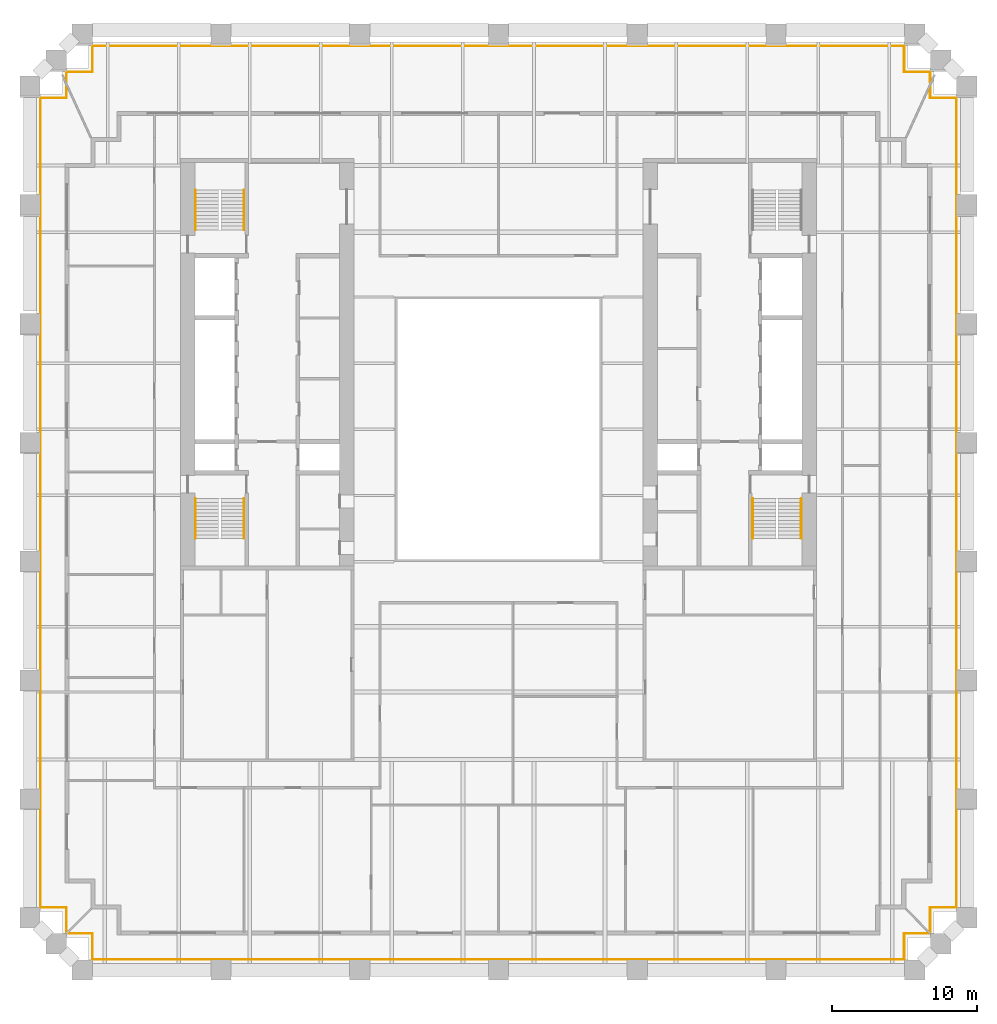
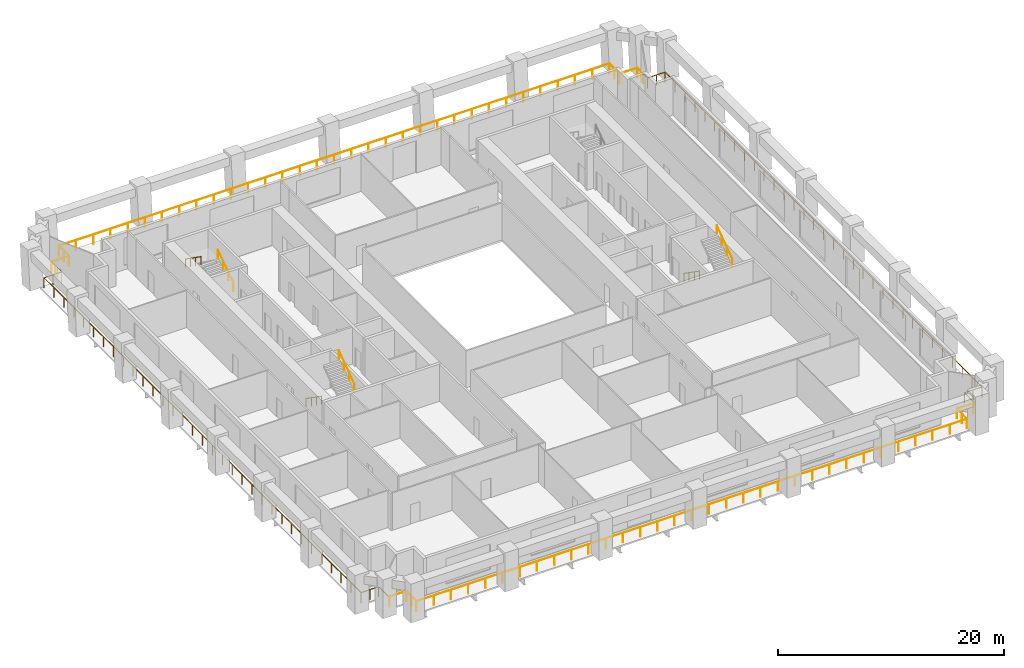
# One storey, part 9 of 10: 10 railings.
"""IFC4 building model written with IfcOpenShell, lengths in metres."""

from ifc_helpers import new_model, si_unit, direction, frame, origin, origin_2d, place, context, subcontext, project, spatial, circle, extrude, material, type_object, element, save


model = new_model("IFC4")

# Units and contexts
model_context = context("Model", 3, precision=1e-05, world=origin(), true_north=direction((0.0, 1.0)))
body_context = subcontext(model_context, "Body", "Model", "MODEL_VIEW")
ifc_project = project(units=[si_unit("LENGTHUNIT", "METRE"), si_unit("AREAUNIT", "SQUARE_METRE"), si_unit("VOLUMEUNIT", "CUBIC_METRE"), si_unit("PLANEANGLEUNIT", "RADIAN"), si_unit("MASSUNIT", "GRAM", prefix="KILO")], contexts=[model_context])

# Site, building, storey
site_placement = place(None, origin())
site = spatial("IfcSite", under=ifc_project, at=site_placement, CompositionType="ELEMENT")
building_placement = place(site_placement, origin())
building = spatial("IfcBuilding", under=site, at=building_placement, Name="Ogive Exchange Tower", CompositionType="ELEMENT")
storey_placement = place(building_placement, frame((0.0, 0.0, 64.800048828125)))
storey = spatial("IfcBuildingStorey", under=building, at=storey_placement, Name="L13", CompositionType="ELEMENT", Elevation=64.800048828125)

# Railings
ifc_material_1 = material(Name="Stainless steel 316", Category="steel")
railing_type_1 = type_object("IfcRailingType", Name="Guard 1100 stainless steel and glass", PredefinedType="GUARDRAIL", material=ifc_material_1)
railing_1_placement = place(storey_placement, frame((29.7880859375, -27.8798828125, -0.050048828125)))
element("IfcRailing", 1, at=railing_1_placement, inside=storey, type_object=railing_type_1, Name="Loggia guard 1", PredefinedType="GUARDRAIL", context=body_context, shape_type="SweptSolid", body=[
    extrude(circle(Radius=0.02392578125, at=origin_2d()), frame((0.0, 0.0, 1.076171875), z_axis=(-1.0, 0.0, 0.0), x_axis=(0.0, -1.0, 0.0)), (0.0, 0.0, 1.0), 1.7080078125),
    extrude(circle(Radius=0.02392578125, at=origin_2d()), frame((-1.7080078125, 0.0, 1.076171875), z_axis=(0.0, -1.0, 0.0), x_axis=(1.0, 0.0, 0.0)), (0.0, 0.0, 1.0), 1.800048828125),
    extrude(circle(Radius=0.02392578125, at=origin_2d()), frame((-1.7080078125, -1.800048828125, 1.076171875), z_axis=(-1.0, 0.0, 0.0), x_axis=(0.0, -1.0, 0.0)), (0.0, 0.0, 1.0), 56.16015625),
    extrude(circle(Radius=0.02392578125, at=origin_2d()), frame((-57.8681640625, -1.800048828125, 1.076171875), z_axis=(0.0, 1.0, 0.0), x_axis=(-1.0, 0.0, 0.0)), (0.0, 0.0, 1.0), 1.800048828125),
    extrude(circle(Radius=0.02392578125, at=origin_2d()), frame((-57.8681640625, 0.0, 1.076171875), z_axis=(-1.0, 0.0, 0.0), x_axis=(0.0, -1.0, 0.0)), (0.0, 0.0, 1.0), 1.7080078125),
    extrude(circle(Radius=0.02099609375, at=origin_2d()), origin(), (0.0, 0.0, 1.0), 1.052001953125),
    extrude(circle(Radius=0.02099609375, at=origin_2d()), frame((-1.7080078125, 0.0, 0.0)), (0.0, 0.0, 1.0), 1.052001953125),
    extrude(circle(Radius=0.02099609375, at=origin_2d()), frame((-1.7080078125, -0.89990234375, 0.0)), (0.0, 0.0, 1.0), 1.052001953125),
    extrude(circle(Radius=0.02099609375, at=origin_2d()), frame((-1.7080078125, -1.800048828125, 0.0)), (0.0, 0.0, 1.0), 1.052001953125),
    extrude(circle(Radius=0.02099609375, at=origin_2d()), frame((-3.462890625, -1.800048828125, 0.0)), (0.0, 0.0, 1.0), 1.052001953125),
    extrude(circle(Radius=0.02099609375, at=origin_2d()), frame((-5.218017578125, -1.800048828125, 0.0)), (0.0, 0.0, 1.0), 1.052001953125),
    extrude(circle(Radius=0.02099609375, at=origin_2d()), frame((-6.97314453125, -1.800048828125, 0.0)), (0.0, 0.0, 1.0), 1.052001953125),
    extrude(circle(Radius=0.02099609375, at=origin_2d()), frame((-8.72802734375, -1.800048828125, 0.0)), (0.0, 0.0, 1.0), 1.052001953125),
    extrude(circle(Radius=0.02099609375, at=origin_2d()), frame((-10.48291015625, -1.800048828125, 0.0)), (0.0, 0.0, 1.0), 1.052001953125),
    extrude(circle(Radius=0.02099609375, at=origin_2d()), frame((-12.238037109375, -1.800048828125, 0.0)), (0.0, 0.0, 1.0), 1.052001953125),
    extrude(circle(Radius=0.02099609375, at=origin_2d()), frame((-13.9931640625, -1.800048828125, 0.0)), (0.0, 0.0, 1.0), 1.052001953125),
    extrude(circle(Radius=0.02099609375, at=origin_2d()), frame((-15.748046875, -1.800048828125, 0.0)), (0.0, 0.0, 1.0), 1.052001953125),
    extrude(circle(Radius=0.02099609375, at=origin_2d()), frame((-17.5029296875, -1.800048828125, 0.0)), (0.0, 0.0, 1.0), 1.052001953125),
    extrude(circle(Radius=0.02099609375, at=origin_2d()), frame((-19.258056640625, -1.800048828125, 0.0)), (0.0, 0.0, 1.0), 1.052001953125),
    extrude(circle(Radius=0.02099609375, at=origin_2d()), frame((-21.01318359375, -1.800048828125, 0.0)), (0.0, 0.0, 1.0), 1.052001953125),
    extrude(circle(Radius=0.02099609375, at=origin_2d()), frame((-22.76806640625, -1.800048828125, 0.0)), (0.0, 0.0, 1.0), 1.052001953125),
    extrude(circle(Radius=0.02099609375, at=origin_2d()), frame((-24.52294921875, -1.800048828125, 0.0)), (0.0, 0.0, 1.0), 1.052001953125),
    extrude(circle(Radius=0.02099609375, at=origin_2d()), frame((-26.278076171875, -1.800048828125, 0.0)), (0.0, 0.0, 1.0), 1.052001953125),
    extrude(circle(Radius=0.02099609375, at=origin_2d()), frame((-28.033203125, -1.800048828125, 0.0)), (0.0, 0.0, 1.0), 1.052001953125),
    extrude(circle(Radius=0.02099609375, at=origin_2d()), frame((-29.7880859375, -1.800048828125, 0.0)), (0.0, 0.0, 1.0), 1.052001953125),
    extrude(circle(Radius=0.02099609375, at=origin_2d()), frame((-31.54296875, -1.800048828125, 0.0)), (0.0, 0.0, 1.0), 1.052001953125),
    extrude(circle(Radius=0.02099609375, at=origin_2d()), frame((-33.298095703125, -1.800048828125, 0.0)), (0.0, 0.0, 1.0), 1.052001953125),
    extrude(circle(Radius=0.02099609375, at=origin_2d()), frame((-35.05322265625, -1.800048828125, 0.0)), (0.0, 0.0, 1.0), 1.052001953125),
    extrude(circle(Radius=0.02099609375, at=origin_2d()), frame((-36.80810546875, -1.800048828125, 0.0)), (0.0, 0.0, 1.0), 1.052001953125),
    extrude(circle(Radius=0.02099609375, at=origin_2d()), frame((-38.56298828125, -1.800048828125, 0.0)), (0.0, 0.0, 1.0), 1.052001953125),
    extrude(circle(Radius=0.02099609375, at=origin_2d()), frame((-40.318115234375, -1.800048828125, 0.0)), (0.0, 0.0, 1.0), 1.052001953125),
    extrude(circle(Radius=0.02099609375, at=origin_2d()), frame((-42.0732421875, -1.800048828125, 0.0)), (0.0, 0.0, 1.0), 1.052001953125),
    extrude(circle(Radius=0.02099609375, at=origin_2d()), frame((-43.828125, -1.800048828125, 0.0)), (0.0, 0.0, 1.0), 1.052001953125),
    extrude(circle(Radius=0.02099609375, at=origin_2d()), frame((-45.5830078125, -1.800048828125, 0.0)), (0.0, 0.0, 1.0), 1.052001953125),
    extrude(circle(Radius=0.02099609375, at=origin_2d()), frame((-47.338134765625, -1.800048828125, 0.0)), (0.0, 0.0, 1.0), 1.052001953125),
    extrude(circle(Radius=0.02099609375, at=origin_2d()), frame((-49.09326171875, -1.800048828125, 0.0)), (0.0, 0.0, 1.0), 1.052001953125),
    extrude(circle(Radius=0.02099609375, at=origin_2d()), frame((-50.84814453125, -1.800048828125, 0.0)), (0.0, 0.0, 1.0), 1.052001953125),
    extrude(circle(Radius=0.02099609375, at=origin_2d()), frame((-52.60302734375, -1.800048828125, 0.0)), (0.0, 0.0, 1.0), 1.052001953125),
    extrude(circle(Radius=0.02099609375, at=origin_2d()), frame((-54.358154296875, -1.800048828125, 0.0)), (0.0, 0.0, 1.0), 1.052001953125),
    extrude(circle(Radius=0.02099609375, at=origin_2d()), frame((-56.11328125, -1.800048828125, 0.0)), (0.0, 0.0, 1.0), 1.052001953125),
    extrude(circle(Radius=0.02099609375, at=origin_2d()), frame((-57.8681640625, -1.800048828125, 0.0)), (0.0, 0.0, 1.0), 1.052001953125),
    extrude(circle(Radius=0.02099609375, at=origin_2d()), frame((-57.8681640625, -0.89990234375, 0.0)), (0.0, 0.0, 1.0), 1.052001953125),
    extrude(circle(Radius=0.02099609375, at=origin_2d()), frame((-57.8681640625, 0.0, 0.0)), (0.0, 0.0, 1.0), 1.052001953125),
    extrude(circle(Radius=0.02099609375, at=origin_2d()), frame((-59.576171875, 0.0, 0.0)), (0.0, 0.0, 1.0), 1.052001953125),
])
railing_2_placement = place(storey_placement, frame((-29.8798828125, -27.7880859375, -0.050048828125)))
element("IfcRailing", 2, at=railing_2_placement, inside=storey, type_object=railing_type_1, Name="Loggia guard 2", PredefinedType="GUARDRAIL", context=body_context, shape_type="SweptSolid", body=[
    extrude(circle(Radius=0.02392578125, at=origin_2d()), frame((0.0, 0.0, 1.076171875), z_axis=(0.0, 1.0, 0.0), x_axis=(-1.0, 0.0, 0.0)), (0.0, 0.0, 1.0), 1.7080078125),
    extrude(circle(Radius=0.02392578125, at=origin_2d()), frame((0.0, 1.7080078125, 1.076171875), z_axis=(-1.0, 0.0, 0.0), x_axis=(0.0, -1.0, 0.0)), (0.0, 0.0, 1.0), 1.800048828125),
    extrude(circle(Radius=0.02392578125, at=origin_2d()), frame((-1.800048828125, 1.7080078125, 1.076171875), z_axis=(0.0, 1.0, 0.0), x_axis=(-1.0, 0.0, 0.0)), (0.0, 0.0, 1.0), 55.99658203125),
    extrude(circle(Radius=0.02392578125, at=origin_2d()), frame((-1.800048828125, 57.70458984375, 1.076171875), z_axis=(1.0, 0.0, 0.0), x_axis=(0.0, 1.0, 0.0)), (0.0, 0.0, 1.0), 1.800048828125),
    extrude(circle(Radius=0.02392578125, at=origin_2d()), frame((0.0, 57.70458984375, 1.076171875), z_axis=(0.0, 1.0, 0.0), x_axis=(-1.0, 0.0, 0.0)), (0.0, 0.0, 1.0), 0.79296875),
    extrude(circle(Radius=0.02099609375, at=origin_2d()), origin(), (0.0, 0.0, 1.0), 1.052001953125),
    extrude(circle(Radius=0.02099609375, at=origin_2d()), frame((0.0, 1.7080078125, 0.0)), (0.0, 0.0, 1.0), 1.052001953125),
    extrude(circle(Radius=0.02099609375, at=origin_2d()), frame((-0.89990234375, 1.7080078125, 0.0)), (0.0, 0.0, 1.0), 1.052001953125),
    extrude(circle(Radius=0.02099609375, at=origin_2d()), frame((-1.800048828125, 1.7080078125, 0.0)), (0.0, 0.0, 1.0), 1.052001953125),
    extrude(circle(Radius=0.02099609375, at=origin_2d()), frame((-1.800048828125, 3.4580078125, 0.0)), (0.0, 0.0, 1.0), 1.052001953125),
    extrude(circle(Radius=0.02099609375, at=origin_2d()), frame((-1.800048828125, 5.207763671875, 0.0)), (0.0, 0.0, 1.0), 1.052001953125),
    extrude(circle(Radius=0.02099609375, at=origin_2d()), frame((-1.800048828125, 6.957763671875, 0.0)), (0.0, 0.0, 1.0), 1.052001953125),
    extrude(circle(Radius=0.02099609375, at=origin_2d()), frame((-1.800048828125, 8.70751953125, 0.0)), (0.0, 0.0, 1.0), 1.052001953125),
    extrude(circle(Radius=0.02099609375, at=origin_2d()), frame((-1.800048828125, 10.45751953125, 0.0)), (0.0, 0.0, 1.0), 1.052001953125),
    extrude(circle(Radius=0.02099609375, at=origin_2d()), frame((-1.800048828125, 12.207275390625, 0.0)), (0.0, 0.0, 1.0), 1.052001953125),
    extrude(circle(Radius=0.02099609375, at=origin_2d()), frame((-1.800048828125, 13.957275390625, 0.0)), (0.0, 0.0, 1.0), 1.052001953125),
    extrude(circle(Radius=0.02099609375, at=origin_2d()), frame((-1.800048828125, 15.70703125, 0.0)), (0.0, 0.0, 1.0), 1.052001953125),
    extrude(circle(Radius=0.02099609375, at=origin_2d()), frame((-1.800048828125, 17.45703125, 0.0)), (0.0, 0.0, 1.0), 1.052001953125),
    extrude(circle(Radius=0.02099609375, at=origin_2d()), frame((-1.800048828125, 19.20703125, 0.0)), (0.0, 0.0, 1.0), 1.052001953125),
    extrude(circle(Radius=0.02099609375, at=origin_2d()), frame((-1.800048828125, 20.956787109375, 0.0)), (0.0, 0.0, 1.0), 1.052001953125),
    extrude(circle(Radius=0.02099609375, at=origin_2d()), frame((-1.800048828125, 22.706787109375, 0.0)), (0.0, 0.0, 1.0), 1.052001953125),
    extrude(circle(Radius=0.02099609375, at=origin_2d()), frame((-1.800048828125, 24.45654296875, 0.0)), (0.0, 0.0, 1.0), 1.052001953125),
    extrude(circle(Radius=0.02099609375, at=origin_2d()), frame((-1.800048828125, 26.20654296875, 0.0)), (0.0, 0.0, 1.0), 1.052001953125),
    extrude(circle(Radius=0.02099609375, at=origin_2d()), frame((-1.800048828125, 27.956298828125, 0.0)), (0.0, 0.0, 1.0), 1.052001953125),
    extrude(circle(Radius=0.02099609375, at=origin_2d()), frame((-1.800048828125, 29.706298828125, 0.0)), (0.0, 0.0, 1.0), 1.052001953125),
    extrude(circle(Radius=0.02099609375, at=origin_2d()), frame((-1.800048828125, 31.456298828125, 0.0)), (0.0, 0.0, 1.0), 1.052001953125),
    extrude(circle(Radius=0.02099609375, at=origin_2d()), frame((-1.800048828125, 33.2060546875, 0.0)), (0.0, 0.0, 1.0), 1.052001953125),
    extrude(circle(Radius=0.02099609375, at=origin_2d()), frame((-1.800048828125, 34.9560546875, 0.0)), (0.0, 0.0, 1.0), 1.052001953125),
    extrude(circle(Radius=0.02099609375, at=origin_2d()), frame((-1.800048828125, 36.705810546875, 0.0)), (0.0, 0.0, 1.0), 1.052001953125),
    extrude(circle(Radius=0.02099609375, at=origin_2d()), frame((-1.800048828125, 38.455810546875, 0.0)), (0.0, 0.0, 1.0), 1.052001953125),
    extrude(circle(Radius=0.02099609375, at=origin_2d()), frame((-1.800048828125, 40.20556640625, 0.0)), (0.0, 0.0, 1.0), 1.052001953125),
    extrude(circle(Radius=0.02099609375, at=origin_2d()), frame((-1.800048828125, 41.95556640625, 0.0)), (0.0, 0.0, 1.0), 1.052001953125),
    extrude(circle(Radius=0.02099609375, at=origin_2d()), frame((-1.800048828125, 43.70556640625, 0.0)), (0.0, 0.0, 1.0), 1.052001953125),
    extrude(circle(Radius=0.02099609375, at=origin_2d()), frame((-1.800048828125, 45.455322265625, 0.0)), (0.0, 0.0, 1.0), 1.052001953125),
    extrude(circle(Radius=0.02099609375, at=origin_2d()), frame((-1.800048828125, 47.205322265625, 0.0)), (0.0, 0.0, 1.0), 1.052001953125),
    extrude(circle(Radius=0.02099609375, at=origin_2d()), frame((-1.800048828125, 48.955078125, 0.0)), (0.0, 0.0, 1.0), 1.052001953125),
    extrude(circle(Radius=0.02099609375, at=origin_2d()), frame((-1.800048828125, 50.705078125, 0.0)), (0.0, 0.0, 1.0), 1.052001953125),
    extrude(circle(Radius=0.02099609375, at=origin_2d()), frame((-1.800048828125, 52.454833984375, 0.0)), (0.0, 0.0, 1.0), 1.052001953125),
    extrude(circle(Radius=0.02099609375, at=origin_2d()), frame((-1.800048828125, 54.204833984375, 0.0)), (0.0, 0.0, 1.0), 1.052001953125),
    extrude(circle(Radius=0.02099609375, at=origin_2d()), frame((-1.800048828125, 55.95458984375, 0.0)), (0.0, 0.0, 1.0), 1.052001953125),
    extrude(circle(Radius=0.02099609375, at=origin_2d()), frame((-1.800048828125, 57.70458984375, 0.0)), (0.0, 0.0, 1.0), 1.052001953125),
    extrude(circle(Radius=0.02099609375, at=origin_2d()), frame((-0.89990234375, 57.70458984375, 0.0)), (0.0, 0.0, 1.0), 1.052001953125),
    extrude(circle(Radius=0.02099609375, at=origin_2d()), frame((0.0, 57.70458984375, 0.0)), (0.0, 0.0, 1.0), 1.052001953125),
    extrude(circle(Radius=0.02099609375, at=origin_2d()), frame((0.0, 58.49755859375, 0.0)), (0.0, 0.0, 1.0), 1.052001953125),
])
railing_3_placement = place(storey_placement, frame((-29.8798828125, 31.021484375, -0.050048828125)))
element("IfcRailing", 3, at=railing_3_placement, inside=storey, type_object=railing_type_1, Name="Loggia guard 3", PredefinedType="GUARDRAIL", context=body_context, shape_type="SweptSolid", body=[
    extrude(circle(Radius=0.02392578125, at=origin_2d()), frame((0.0, 0.0, 1.076171875), z_axis=(0.0, 1.0, 0.0), x_axis=(-1.0, 0.0, 0.0)), (0.0, 0.0, 1.0), 0.69482421875),
    extrude(circle(Radius=0.02392578125, at=origin_2d()), frame((0.0, 0.69482421875, 1.076171875), z_axis=(1.0, 0.0, 0.0), x_axis=(0.0, 1.0, 0.0)), (0.0, 0.0, 1.0), 1.7998046875),
    extrude(circle(Radius=0.02392578125, at=origin_2d()), frame((1.7998046875, 0.69482421875, 1.076171875), z_axis=(0.0, 1.0, 0.0), x_axis=(-1.0, 0.0, 0.0)), (0.0, 0.0, 1.0), 1.800048828125),
    extrude(circle(Radius=0.02392578125, at=origin_2d()), frame((1.7998046875, 2.494873046875, 1.076171875), z_axis=(1.0, 0.0, 0.0), x_axis=(0.0, 1.0, 0.0)), (0.0, 0.0, 1.0), 56.16015625),
    extrude(circle(Radius=0.02392578125, at=origin_2d()), frame((57.9599609375, 2.494873046875, 1.076171875), z_axis=(0.0, -1.0, 0.0), x_axis=(1.0, 0.0, 0.0)), (0.0, 0.0, 1.0), 1.800048828125),
    extrude(circle(Radius=0.02392578125, at=origin_2d()), frame((57.9599609375, 0.69482421875, 1.076171875), z_axis=(1.0, 0.0, 0.0), x_axis=(0.0, 1.0, 0.0)), (0.0, 0.0, 1.0), 1.7998046875),
    extrude(circle(Radius=0.02392578125, at=origin_2d()), frame((59.759765625, 0.69482421875, 1.076171875), z_axis=(0.0, -1.0, 0.0), x_axis=(1.0, 0.0, 0.0)), (0.0, 0.0, 1.0), 0.69482421875),
    extrude(circle(Radius=0.02099609375, at=origin_2d()), origin(), (0.0, 0.0, 1.0), 1.052001953125),
    extrude(circle(Radius=0.02099609375, at=origin_2d()), frame((0.0, 0.69482421875, 0.0)), (0.0, 0.0, 1.0), 1.052001953125),
    extrude(circle(Radius=0.02099609375, at=origin_2d()), frame((1.7998046875, 0.69482421875, 0.0)), (0.0, 0.0, 1.0), 1.052001953125),
    extrude(circle(Radius=0.02099609375, at=origin_2d()), frame((1.7998046875, 1.5947265625, 0.0)), (0.0, 0.0, 1.0), 1.052001953125),
    extrude(circle(Radius=0.02099609375, at=origin_2d()), frame((1.7998046875, 2.494873046875, 0.0)), (0.0, 0.0, 1.0), 1.052001953125),
    extrude(circle(Radius=0.02099609375, at=origin_2d()), frame((3.5546875, 2.494873046875, 0.0)), (0.0, 0.0, 1.0), 1.052001953125),
    extrude(circle(Radius=0.02099609375, at=origin_2d()), frame((5.309814453125, 2.494873046875, 0.0)), (0.0, 0.0, 1.0), 1.052001953125),
    extrude(circle(Radius=0.02099609375, at=origin_2d()), frame((7.06494140625, 2.494873046875, 0.0)), (0.0, 0.0, 1.0), 1.052001953125),
    extrude(circle(Radius=0.02099609375, at=origin_2d()), frame((8.81982421875, 2.494873046875, 0.0)), (0.0, 0.0, 1.0), 1.052001953125),
    extrude(circle(Radius=0.02099609375, at=origin_2d()), frame((10.57470703125, 2.494873046875, 0.0)), (0.0, 0.0, 1.0), 1.052001953125),
    extrude(circle(Radius=0.02099609375, at=origin_2d()), frame((12.329833984375, 2.494873046875, 0.0)), (0.0, 0.0, 1.0), 1.052001953125),
    extrude(circle(Radius=0.02099609375, at=origin_2d()), frame((14.0849609375, 2.494873046875, 0.0)), (0.0, 0.0, 1.0), 1.052001953125),
    extrude(circle(Radius=0.02099609375, at=origin_2d()), frame((15.83984375, 2.494873046875, 0.0)), (0.0, 0.0, 1.0), 1.052001953125),
    extrude(circle(Radius=0.02099609375, at=origin_2d()), frame((17.5947265625, 2.494873046875, 0.0)), (0.0, 0.0, 1.0), 1.052001953125),
    extrude(circle(Radius=0.02099609375, at=origin_2d()), frame((19.349853515625, 2.494873046875, 0.0)), (0.0, 0.0, 1.0), 1.052001953125),
    extrude(circle(Radius=0.02099609375, at=origin_2d()), frame((21.10498046875, 2.494873046875, 0.0)), (0.0, 0.0, 1.0), 1.052001953125),
    extrude(circle(Radius=0.02099609375, at=origin_2d()), frame((22.85986328125, 2.494873046875, 0.0)), (0.0, 0.0, 1.0), 1.052001953125),
    extrude(circle(Radius=0.02099609375, at=origin_2d()), frame((24.61474609375, 2.494873046875, 0.0)), (0.0, 0.0, 1.0), 1.052001953125),
    extrude(circle(Radius=0.02099609375, at=origin_2d()), frame((26.369873046875, 2.494873046875, 0.0)), (0.0, 0.0, 1.0), 1.052001953125),
    extrude(circle(Radius=0.02099609375, at=origin_2d()), frame((28.125, 2.494873046875, 0.0)), (0.0, 0.0, 1.0), 1.052001953125),
    extrude(circle(Radius=0.02099609375, at=origin_2d()), frame((29.8798828125, 2.494873046875, 0.0)), (0.0, 0.0, 1.0), 1.052001953125),
    extrude(circle(Radius=0.02099609375, at=origin_2d()), frame((31.634765625, 2.494873046875, 0.0)), (0.0, 0.0, 1.0), 1.052001953125),
    extrude(circle(Radius=0.02099609375, at=origin_2d()), frame((33.389892578125, 2.494873046875, 0.0)), (0.0, 0.0, 1.0), 1.052001953125),
    extrude(circle(Radius=0.02099609375, at=origin_2d()), frame((35.14501953125, 2.494873046875, 0.0)), (0.0, 0.0, 1.0), 1.052001953125),
    extrude(circle(Radius=0.02099609375, at=origin_2d()), frame((36.89990234375, 2.494873046875, 0.0)), (0.0, 0.0, 1.0), 1.052001953125),
    extrude(circle(Radius=0.02099609375, at=origin_2d()), frame((38.65478515625, 2.494873046875, 0.0)), (0.0, 0.0, 1.0), 1.052001953125),
    extrude(circle(Radius=0.02099609375, at=origin_2d()), frame((40.409912109375, 2.494873046875, 0.0)), (0.0, 0.0, 1.0), 1.052001953125),
    extrude(circle(Radius=0.02099609375, at=origin_2d()), frame((42.1650390625, 2.494873046875, 0.0)), (0.0, 0.0, 1.0), 1.052001953125),
    extrude(circle(Radius=0.02099609375, at=origin_2d()), frame((43.919921875, 2.494873046875, 0.0)), (0.0, 0.0, 1.0), 1.052001953125),
    extrude(circle(Radius=0.02099609375, at=origin_2d()), frame((45.6748046875, 2.494873046875, 0.0)), (0.0, 0.0, 1.0), 1.052001953125),
    extrude(circle(Radius=0.02099609375, at=origin_2d()), frame((47.429931640625, 2.494873046875, 0.0)), (0.0, 0.0, 1.0), 1.052001953125),
    extrude(circle(Radius=0.02099609375, at=origin_2d()), frame((49.18505859375, 2.494873046875, 0.0)), (0.0, 0.0, 1.0), 1.052001953125),
    extrude(circle(Radius=0.02099609375, at=origin_2d()), frame((50.93994140625, 2.494873046875, 0.0)), (0.0, 0.0, 1.0), 1.052001953125),
    extrude(circle(Radius=0.02099609375, at=origin_2d()), frame((52.69482421875, 2.494873046875, 0.0)), (0.0, 0.0, 1.0), 1.052001953125),
    extrude(circle(Radius=0.02099609375, at=origin_2d()), frame((54.449951171875, 2.494873046875, 0.0)), (0.0, 0.0, 1.0), 1.052001953125),
    extrude(circle(Radius=0.02099609375, at=origin_2d()), frame((56.205078125, 2.494873046875, 0.0)), (0.0, 0.0, 1.0), 1.052001953125),
    extrude(circle(Radius=0.02099609375, at=origin_2d()), frame((57.9599609375, 2.494873046875, 0.0)), (0.0, 0.0, 1.0), 1.052001953125),
    extrude(circle(Radius=0.02099609375, at=origin_2d()), frame((57.9599609375, 1.5947265625, 0.0)), (0.0, 0.0, 1.0), 1.052001953125),
    extrude(circle(Radius=0.02099609375, at=origin_2d()), frame((57.9599609375, 0.69482421875, 0.0)), (0.0, 0.0, 1.0), 1.052001953125),
    extrude(circle(Radius=0.02099609375, at=origin_2d()), frame((59.759765625, 0.69482421875, 0.0)), (0.0, 0.0, 1.0), 1.052001953125),
    extrude(circle(Radius=0.02099609375, at=origin_2d()), frame((59.759765625, 0.0, 0.0)), (0.0, 0.0, 1.0), 1.052001953125),
])
railing_4_placement = place(storey_placement, frame((29.8798828125, 30.70947265625, -0.050048828125)))
element("IfcRailing", 4, at=railing_4_placement, inside=storey, type_object=railing_type_1, Name="Loggia guard 4", PredefinedType="GUARDRAIL", context=body_context, shape_type="SweptSolid", body=[
    extrude(circle(Radius=0.02392578125, at=origin_2d()), frame((0.0, 0.0, 1.076171875), z_axis=(0.0, -1.0, 0.0), x_axis=(1.0, 0.0, 0.0)), (0.0, 0.0, 1.0), 0.79296875),
    extrude(circle(Radius=0.02392578125, at=origin_2d()), frame((0.0, -0.79296875, 1.076171875), z_axis=(1.0, 0.0, 0.0), x_axis=(0.0, 1.0, 0.0)), (0.0, 0.0, 1.0), 1.800048828125),
    extrude(circle(Radius=0.02392578125, at=origin_2d()), frame((1.800048828125, -0.79296875, 1.076171875), z_axis=(0.0, -1.0, 0.0), x_axis=(1.0, 0.0, 0.0)), (0.0, 0.0, 1.0), 55.99658203125),
    extrude(circle(Radius=0.02392578125, at=origin_2d()), frame((1.800048828125, -56.78955078125, 1.076171875), z_axis=(-1.0, 0.0, 0.0), x_axis=(0.0, -1.0, 0.0)), (0.0, 0.0, 1.0), 1.800048828125),
    extrude(circle(Radius=0.02392578125, at=origin_2d()), frame((0.0, -56.78955078125, 1.076171875), z_axis=(0.0, -1.0, 0.0), x_axis=(1.0, 0.0, 0.0)), (0.0, 0.0, 1.0), 1.7080078125),
    extrude(circle(Radius=0.02099609375, at=origin_2d()), origin(), (0.0, 0.0, 1.0), 1.052001953125),
    extrude(circle(Radius=0.02099609375, at=origin_2d()), frame((0.0, -0.79296875, 0.0)), (0.0, 0.0, 1.0), 1.052001953125),
    extrude(circle(Radius=0.02099609375, at=origin_2d()), frame((0.89990234375, -0.79296875, 0.0)), (0.0, 0.0, 1.0), 1.052001953125),
    extrude(circle(Radius=0.02099609375, at=origin_2d()), frame((1.800048828125, -0.79296875, 0.0)), (0.0, 0.0, 1.0), 1.052001953125),
    extrude(circle(Radius=0.02099609375, at=origin_2d()), frame((1.800048828125, -2.54296875, 0.0)), (0.0, 0.0, 1.0), 1.052001953125),
    extrude(circle(Radius=0.02099609375, at=origin_2d()), frame((1.800048828125, -4.292724609375, 0.0)), (0.0, 0.0, 1.0), 1.052001953125),
    extrude(circle(Radius=0.02099609375, at=origin_2d()), frame((1.800048828125, -6.042724609375, 0.0)), (0.0, 0.0, 1.0), 1.052001953125),
    extrude(circle(Radius=0.02099609375, at=origin_2d()), frame((1.800048828125, -7.79248046875, 0.0)), (0.0, 0.0, 1.0), 1.052001953125),
    extrude(circle(Radius=0.02099609375, at=origin_2d()), frame((1.800048828125, -9.54248046875, 0.0)), (0.0, 0.0, 1.0), 1.052001953125),
    extrude(circle(Radius=0.02099609375, at=origin_2d()), frame((1.800048828125, -11.292236328125, 0.0)), (0.0, 0.0, 1.0), 1.052001953125),
    extrude(circle(Radius=0.02099609375, at=origin_2d()), frame((1.800048828125, -13.042236328125, 0.0)), (0.0, 0.0, 1.0), 1.052001953125),
    extrude(circle(Radius=0.02099609375, at=origin_2d()), frame((1.800048828125, -14.7919921875, 0.0)), (0.0, 0.0, 1.0), 1.052001953125),
    extrude(circle(Radius=0.02099609375, at=origin_2d()), frame((1.800048828125, -16.5419921875, 0.0)), (0.0, 0.0, 1.0), 1.052001953125),
    extrude(circle(Radius=0.02099609375, at=origin_2d()), frame((1.800048828125, -18.2919921875, 0.0)), (0.0, 0.0, 1.0), 1.052001953125),
    extrude(circle(Radius=0.02099609375, at=origin_2d()), frame((1.800048828125, -20.041748046875, 0.0)), (0.0, 0.0, 1.0), 1.052001953125),
    extrude(circle(Radius=0.02099609375, at=origin_2d()), frame((1.800048828125, -21.791748046875, 0.0)), (0.0, 0.0, 1.0), 1.052001953125),
    extrude(circle(Radius=0.02099609375, at=origin_2d()), frame((1.800048828125, -23.54150390625, 0.0)), (0.0, 0.0, 1.0), 1.052001953125),
    extrude(circle(Radius=0.02099609375, at=origin_2d()), frame((1.800048828125, -25.29150390625, 0.0)), (0.0, 0.0, 1.0), 1.052001953125),
    extrude(circle(Radius=0.02099609375, at=origin_2d()), frame((1.800048828125, -27.041259765625, 0.0)), (0.0, 0.0, 1.0), 1.052001953125),
    extrude(circle(Radius=0.02099609375, at=origin_2d()), frame((1.800048828125, -28.791259765625, 0.0)), (0.0, 0.0, 1.0), 1.052001953125),
    extrude(circle(Radius=0.02099609375, at=origin_2d()), frame((1.800048828125, -30.541259765625, 0.0)), (0.0, 0.0, 1.0), 1.052001953125),
    extrude(circle(Radius=0.02099609375, at=origin_2d()), frame((1.800048828125, -32.291015625, 0.0)), (0.0, 0.0, 1.0), 1.052001953125),
    extrude(circle(Radius=0.02099609375, at=origin_2d()), frame((1.800048828125, -34.041015625, 0.0)), (0.0, 0.0, 1.0), 1.052001953125),
    extrude(circle(Radius=0.02099609375, at=origin_2d()), frame((1.800048828125, -35.790771484375, 0.0)), (0.0, 0.0, 1.0), 1.052001953125),
    extrude(circle(Radius=0.02099609375, at=origin_2d()), frame((1.800048828125, -37.540771484375, 0.0)), (0.0, 0.0, 1.0), 1.052001953125),
    extrude(circle(Radius=0.02099609375, at=origin_2d()), frame((1.800048828125, -39.29052734375, 0.0)), (0.0, 0.0, 1.0), 1.052001953125),
    extrude(circle(Radius=0.02099609375, at=origin_2d()), frame((1.800048828125, -41.04052734375, 0.0)), (0.0, 0.0, 1.0), 1.052001953125),
    extrude(circle(Radius=0.02099609375, at=origin_2d()), frame((1.800048828125, -42.79052734375, 0.0)), (0.0, 0.0, 1.0), 1.052001953125),
    extrude(circle(Radius=0.02099609375, at=origin_2d()), frame((1.800048828125, -44.540283203125, 0.0)), (0.0, 0.0, 1.0), 1.052001953125),
    extrude(circle(Radius=0.02099609375, at=origin_2d()), frame((1.800048828125, -46.290283203125, 0.0)), (0.0, 0.0, 1.0), 1.052001953125),
    extrude(circle(Radius=0.02099609375, at=origin_2d()), frame((1.800048828125, -48.0400390625, 0.0)), (0.0, 0.0, 1.0), 1.052001953125),
    extrude(circle(Radius=0.02099609375, at=origin_2d()), frame((1.800048828125, -49.7900390625, 0.0)), (0.0, 0.0, 1.0), 1.052001953125),
    extrude(circle(Radius=0.02099609375, at=origin_2d()), frame((1.800048828125, -51.539794921875, 0.0)), (0.0, 0.0, 1.0), 1.052001953125),
    extrude(circle(Radius=0.02099609375, at=origin_2d()), frame((1.800048828125, -53.289794921875, 0.0)), (0.0, 0.0, 1.0), 1.052001953125),
    extrude(circle(Radius=0.02099609375, at=origin_2d()), frame((1.800048828125, -55.03955078125, 0.0)), (0.0, 0.0, 1.0), 1.052001953125),
    extrude(circle(Radius=0.02099609375, at=origin_2d()), frame((1.800048828125, -56.78955078125, 0.0)), (0.0, 0.0, 1.0), 1.052001953125),
    extrude(circle(Radius=0.02099609375, at=origin_2d()), frame((0.89990234375, -56.78955078125, 0.0)), (0.0, 0.0, 1.0), 1.052001953125),
    extrude(circle(Radius=0.02099609375, at=origin_2d()), frame((0.0, -56.78955078125, 0.0)), (0.0, 0.0, 1.0), 1.052001953125),
    extrude(circle(Radius=0.02099609375, at=origin_2d()), frame((0.0, -58.49755859375, 0.0)), (0.0, 0.0, 1.0), 1.052001953125),
])
ifc_material_2 = material(Name="Stainless steel", Category="steel")
railing_type_2 = type_object("IfcRailingType", Name="Stair handrail 900", PredefinedType="HANDRAIL", material=ifc_material_2)
railing_5_placement = place(storey_placement, frame((-20.949951171875, 2.199951171875, 0.175048828125)))
element("IfcRailing", 5, at=railing_5_placement, inside=storey, type_object=railing_type_2, Name="L13 ST1 stair handrail 1", PredefinedType="HANDRAIL", context=body_context, shape_type="SweptSolid", body=[
    extrude(circle(Radius=0.02392578125, at=origin_2d()), frame((0.0, 0.0, 0.8759765625), z_axis=(0.0, -0.819259255306, 0.573423292687), x_axis=(1.0, 0.0, 0.0)), (0.0, 0.0, 1.0), 3.356689453125),
    extrude(circle(Radius=0.02099609375, at=origin_2d()), origin(), (0.0, 0.0, 1.0), 0.851806640625),
    extrude(circle(Radius=0.02099609375, at=origin_2d()), frame((0.0, -0.916748046875, 0.6416015625)), (0.0, 0.0, 1.0), 0.851806640625),
    extrude(circle(Radius=0.02099609375, at=origin_2d()), frame((0.0, -1.833251953125, 1.283203125)), (0.0, 0.0, 1.0), 0.851806640625),
    extrude(circle(Radius=0.02099609375, at=origin_2d()), frame((0.0, -2.75, 1.9248046875)), (0.0, 0.0, 1.0), 0.851806640625),
])
railing_6_placement = place(storey_placement, frame((-17.60009765625, -0.550048828125, 2.27490234375)))
element("IfcRailing", 6, at=railing_6_placement, inside=storey, type_object=railing_type_2, Name="L13 ST1 stair handrail 2", PredefinedType="HANDRAIL", context=body_context, shape_type="SweptSolid", body=[
    extrude(circle(Radius=0.02392578125, at=origin_2d()), frame((0.0, 0.0, 0.8759765625), z_axis=(0.0, 0.819225086817, 0.573472106672), x_axis=(-1.0, 0.0, 0.0)), (0.0, 0.0, 1.0), 3.35693359375),
    extrude(circle(Radius=0.02099609375, at=origin_2d()), origin(), (0.0, 0.0, 1.0), 0.851806640625),
    extrude(circle(Radius=0.02099609375, at=origin_2d()), frame((0.0, 0.916748046875, 0.6416015625)), (0.0, 0.0, 1.0), 0.851806640625),
    extrude(circle(Radius=0.02099609375, at=origin_2d()), frame((0.0, 1.833251953125, 1.283447265625)), (0.0, 0.0, 1.0), 0.851806640625),
    extrude(circle(Radius=0.02099609375, at=origin_2d()), frame((0.0, 2.75, 1.925048828125)), (0.0, 0.0, 1.0), 0.851806640625),
])
railing_7_placement = place(storey_placement, frame((-17.60009765625, 20.800048828125, 0.175048828125)))
element("IfcRailing", 7, at=railing_7_placement, inside=storey, type_object=railing_type_2, Name="L13 ST2 stair handrail 1", PredefinedType="HANDRAIL", context=body_context, shape_type="SweptSolid", body=[
    extrude(circle(Radius=0.02392578125, at=origin_2d()), frame((0.0, 0.0, 0.8759765625), z_axis=(0.0, 0.819259255306, 0.573423292687), x_axis=(-1.0, 0.0, 0.0)), (0.0, 0.0, 1.0), 3.356689453125),
    extrude(circle(Radius=0.02099609375, at=origin_2d()), origin(), (0.0, 0.0, 1.0), 0.851806640625),
    extrude(circle(Radius=0.02099609375, at=origin_2d()), frame((0.0, 0.916748046875, 0.6416015625)), (0.0, 0.0, 1.0), 0.851806640625),
    extrude(circle(Radius=0.02099609375, at=origin_2d()), frame((0.0, 1.833251953125, 1.283203125)), (0.0, 0.0, 1.0), 0.851806640625),
    extrude(circle(Radius=0.02099609375, at=origin_2d()), frame((0.0, 2.75, 1.9248046875)), (0.0, 0.0, 1.0), 0.851806640625),
])
railing_8_placement = place(storey_placement, frame((-20.949951171875, 23.550048828125, 2.27490234375)))
element("IfcRailing", 8, at=railing_8_placement, inside=storey, type_object=railing_type_2, Name="L13 ST2 stair handrail 2", PredefinedType="HANDRAIL", context=body_context, shape_type="SweptSolid", body=[
    extrude(circle(Radius=0.02392578125, at=origin_2d()), frame((0.0, 0.0, 0.8759765625), z_axis=(0.0, -0.819225086817, 0.573472106672), x_axis=(1.0, 0.0, 0.0)), (0.0, 0.0, 1.0), 3.35693359375),
    extrude(circle(Radius=0.02099609375, at=origin_2d()), origin(), (0.0, 0.0, 1.0), 0.851806640625),
    extrude(circle(Radius=0.02099609375, at=origin_2d()), frame((0.0, -0.916748046875, 0.6416015625)), (0.0, 0.0, 1.0), 0.851806640625),
    extrude(circle(Radius=0.02099609375, at=origin_2d()), frame((0.0, -1.833251953125, 1.283447265625)), (0.0, 0.0, 1.0), 0.851806640625),
    extrude(circle(Radius=0.02099609375, at=origin_2d()), frame((0.0, -2.75, 1.925048828125)), (0.0, 0.0, 1.0), 0.851806640625),
])
railing_9_placement = place(storey_placement, frame((17.60009765625, 2.199951171875, 0.175048828125)))
element("IfcRailing", 9, at=railing_9_placement, inside=storey, type_object=railing_type_2, Name="L13 ST3 stair handrail 1", PredefinedType="HANDRAIL", context=body_context, shape_type="SweptSolid", body=[
    extrude(circle(Radius=0.02392578125, at=origin_2d()), frame((0.0, 0.0, 0.8759765625), z_axis=(0.0, -0.819259255306, 0.573423292687), x_axis=(1.0, 0.0, 0.0)), (0.0, 0.0, 1.0), 3.356689453125),
    extrude(circle(Radius=0.02099609375, at=origin_2d()), origin(), (0.0, 0.0, 1.0), 0.851806640625),
    extrude(circle(Radius=0.02099609375, at=origin_2d()), frame((0.0, -0.916748046875, 0.6416015625)), (0.0, 0.0, 1.0), 0.851806640625),
    extrude(circle(Radius=0.02099609375, at=origin_2d()), frame((0.0, -1.833251953125, 1.283203125)), (0.0, 0.0, 1.0), 0.851806640625),
    extrude(circle(Radius=0.02099609375, at=origin_2d()), frame((0.0, -2.75, 1.9248046875)), (0.0, 0.0, 1.0), 0.851806640625),
])
railing_10_placement = place(storey_placement, frame((20.949951171875, -0.550048828125, 2.27490234375)))
element("IfcRailing", 10, at=railing_10_placement, inside=storey, type_object=railing_type_2, Name="L13 ST3 stair handrail 2", PredefinedType="HANDRAIL", context=body_context, shape_type="SweptSolid", body=[
    extrude(circle(Radius=0.02392578125, at=origin_2d()), frame((0.0, 0.0, 0.8759765625), z_axis=(0.0, 0.819225086817, 0.573472106672), x_axis=(-1.0, 0.0, 0.0)), (0.0, 0.0, 1.0), 3.35693359375),
    extrude(circle(Radius=0.02099609375, at=origin_2d()), origin(), (0.0, 0.0, 1.0), 0.851806640625),
    extrude(circle(Radius=0.02099609375, at=origin_2d()), frame((0.0, 0.916748046875, 0.6416015625)), (0.0, 0.0, 1.0), 0.851806640625),
    extrude(circle(Radius=0.02099609375, at=origin_2d()), frame((0.0, 1.833251953125, 1.283447265625)), (0.0, 0.0, 1.0), 0.851806640625),
    extrude(circle(Radius=0.02099609375, at=origin_2d()), frame((0.0, 2.75, 1.925048828125)), (0.0, 0.0, 1.0), 0.851806640625),
])

save(model, "model.ifc")
